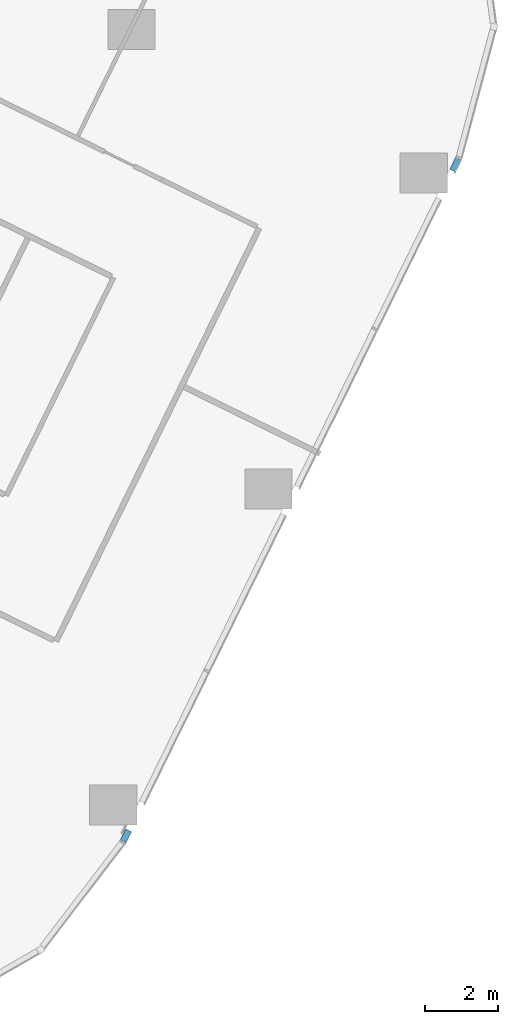
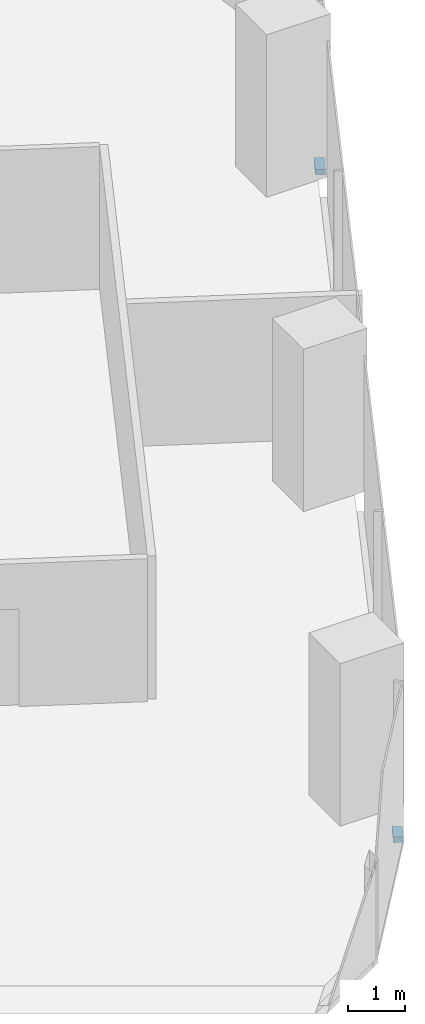
# One storey, part 17 of 38: 2 members, 1 element without a shape of its own.
"""IFC4 building model written with IfcOpenShell, lengths in metres."""

from ifc_helpers import new_model, si_unit, direction, frame, origin, origin_2d, place, context, subcontext, project, spatial, rectangle, extrude, material, material_profile, profile_set, type_object, element, aggregate, save


model = new_model("IFC4")

# Units and contexts
model_context = context("Model", 3, precision=1e-05, world=origin(), true_north=direction((0.0, 1.0)))
body_context = subcontext(model_context, "Body", "Model", "MODEL_VIEW")
ifc_project = project(units=[si_unit("LENGTHUNIT", "METRE"), si_unit("AREAUNIT", "SQUARE_METRE"), si_unit("VOLUMEUNIT", "CUBIC_METRE"), si_unit("PLANEANGLEUNIT", "RADIAN"), si_unit("MASSUNIT", "GRAM", prefix="KILO")], contexts=[model_context])

# Site, building, storey
site_placement = place(None, origin())
site = spatial("IfcSite", under=ifc_project, at=site_placement, CompositionType="ELEMENT")
building_placement = place(site_placement, origin())
building = spatial("IfcBuilding", under=site, at=building_placement, Name="Orlundy Tower", CompositionType="ELEMENT")
storey_placement = place(building_placement, frame((0.0, 0.0, 62.300048828125)))
storey = spatial("IfcBuildingStorey", under=building, at=storey_placement, Name="L14", CompositionType="ELEMENT", Elevation=62.300048828125)

# Curtain wall, members
ifc_material_1 = material(Name="Aluminium bronze anodised", Category="aluminium")
curtain_wall_type = type_object("IfcCurtainWallType", Name="CW1 wall", PredefinedType="NOTDEFINED", material=ifc_material_1)
curtain_wall_placement = place(storey_placement, origin())
curtain_wall = element("IfcCurtainWall", 1, at=curtain_wall_placement, inside=storey, type_object=curtain_wall_type, Name="CW1 run 023", PredefinedType="NOTDEFINED")
ifc_material_2 = material(Name="Aluminium bronze anodised", Category="aluminium")
ifc_material_profile = material_profile(ifc_material_2, rectangle(XDim=0.179931640625, YDim=0.1201171875, at=origin_2d()), Name="CW1 transom 180x120")
ifc_profile_set = profile_set([ifc_material_profile], Name="Aluminium bronze anodised")
member_type = type_object("IfcMemberType", Name="CW1 transom 180x120", PredefinedType="USERDEFINED", material=ifc_profile_set)
member_1_placement = place(storey_placement, frame((59.003662109375, -17.310302734375, -0.340087890625), z_axis=(-0.440922371346, -0.897545242562, 0.0), x_axis=(0.897545242562, -0.440922371346, 0.0)))
member_1 = element("IfcMember", 2, at=member_1_placement, type_object=member_type, Name="CW1 transom", ObjectType="TRANSOM", PredefinedType="USERDEFINED", context=body_context, shape_type="SweptSolid", body=[
    extrude(rectangle(XDim=0.179931640625, YDim=0.1201171875, at=origin_2d()), origin(), (0.0, 0.0, 1.0), 0.373291015625),
])
member_2_placement = place(storey_placement, frame((49.907958984375, -35.821044921875, -0.340087890625), z_axis=(-0.441498536709, -0.897261969596, 0.0), x_axis=(0.897261969596, -0.441498536709, 0.0)))
member_2 = element("IfcMember", 3, at=member_2_placement, type_object=member_type, Name="CW1 transom", ObjectType="TRANSOM", PredefinedType="USERDEFINED", context=body_context, shape_type="SweptSolid", body=[
    extrude(rectangle(XDim=0.179931640625, YDim=0.1201171875, at=origin_2d()), origin(), (0.0, 0.0, 1.0), 0.34228515625),
])
aggregate(curtain_wall, [member_1, member_2])

save(model, "model.ifc")
